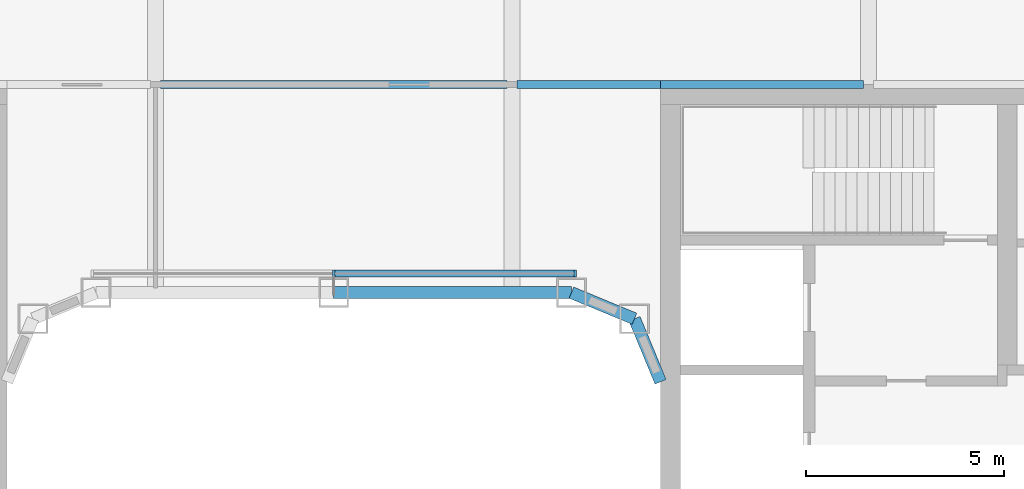
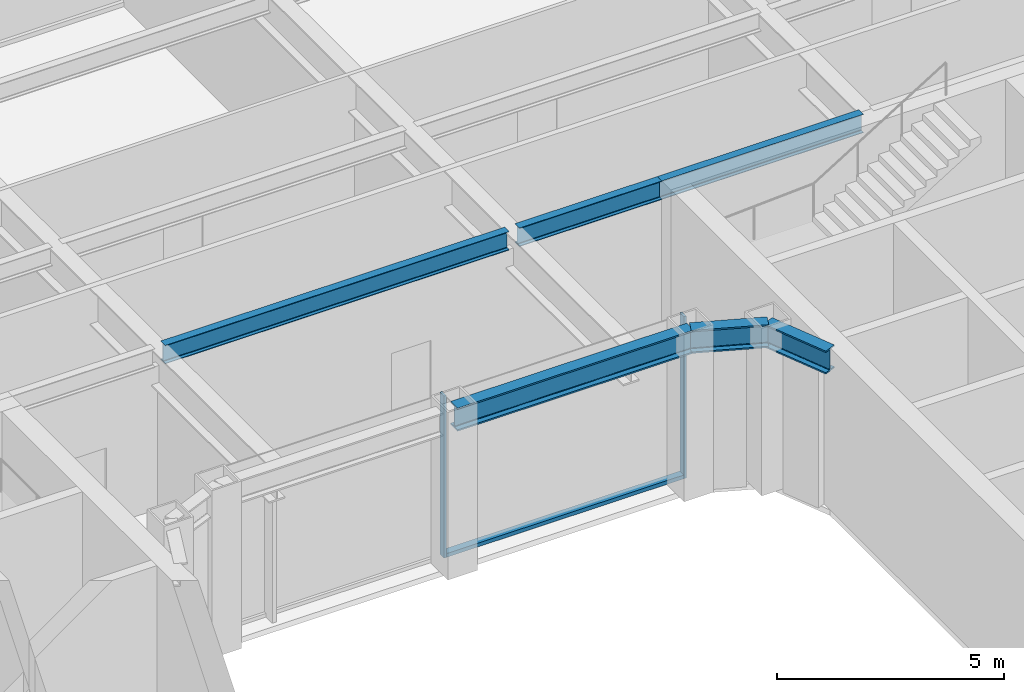
# One storey, part 8 of 24: 6 beams, 3 members, 1 element without a shape of its own.
"""IFC4 building model written with IfcOpenShell, lengths in metres."""

import ifcopenshell
import ifcopenshell.guid

model = None  # the IFC model being written
_history = None  # IfcOwnerHistory: only IFC2X3 demands one
_inside = {}  # id of a spatial element -> (the spatial element, [elements in it])
_under = {}  # id of a project, library or spatial element -> (it, [spatial elements below it])
_declared = {}  # id of a project -> (the project, [libraries it declares])
_typed = {}  # id of a type object -> (the type object, [elements of that type])
_made_of = {}  # id of a material, layer set ... -> (it, [elements and type objects made of it])


def new_model(schema):
    """Start an empty IFC model of exactly this schema.

    Asked for "IFC4X3", IfcOpenShell would pick the latest addendum, in which some entities
    have other attributes; the version numbers below select the first issue.
    IFC2X3 requires an IfcOwnerHistory on every rooted entity: one is made here for all.
    """
    global model, _history
    if schema == "IFC4X3":
        model = ifcopenshell.file(schema_version=(4, 3, 0, 0))
    else:
        model = ifcopenshell.file(schema=schema)
    _inside.clear()
    _under.clear()
    _declared.clear()
    _typed.clear()
    _made_of.clear()
    _history = None
    if model.schema == "IFC2X3":
        org = make("IfcOrganization", Name="unknown")
        user = make(
            "IfcPersonAndOrganization",
            ThePerson=make("IfcPerson", FamilyName="unknown"),
            TheOrganization=org,
        )
        app = make(
            "IfcApplication",
            ApplicationDeveloper=org,
            Version="unknown",
            ApplicationFullName="unknown",
            ApplicationIdentifier="unknown",
        )
        _history = make(
            "IfcOwnerHistory",
            OwningUser=user,
            OwningApplication=app,
            ChangeAction="ADDED",
            CreationDate=0,
        )
    return model


def make(cls, **values):
    """One entity of the class cls with the attributes given. An attribute that is None is left unset."""
    return model.create_entity(
        cls, **{name: value for name, value in values.items() if value is not None}
    )


def rooted(cls, **values):
    """An entity with a GlobalId (a new one), such as an element, a storey or a relation."""
    return make(cls, GlobalId=ifcopenshell.guid.new(), OwnerHistory=_history, **values)


def si_unit(unit_type, name, prefix=None):
    """IfcSIUnit, for example si_unit("LENGTHUNIT", "METRE", prefix="MILLI")."""
    return make("IfcSIUnit", UnitType=unit_type, Prefix=prefix, Name=name)


def assignment(units):
    """IfcUnitAssignment: the units of a project."""
    return None if units is None else make("IfcUnitAssignment", Units=units)


def point(xyz):
    """IfcCartesianPoint."""
    return None if xyz is None else make("IfcCartesianPoint", Coordinates=xyz)


def direction(xyz):
    """IfcDirection."""
    return None if xyz is None else make("IfcDirection", DirectionRatios=xyz)


def frame(location, z_axis=None, x_axis=None):
    """IfcAxis2Placement3D, a coordinate frame: its origin and axes. An axis left out is left unset."""
    return make(
        "IfcAxis2Placement3D",
        Location=point(location),
        Axis=direction(z_axis),
        RefDirection=direction(x_axis),
    )


def frame_2d(location, x_axis=None):
    """IfcAxis2Placement2D, a coordinate frame in the plane: its origin and x axis."""
    return make(
        "IfcAxis2Placement2D", Location=point(location), RefDirection=direction(x_axis)
    )


def origin():
    """The frame at (0, 0, 0) with its axes left unset."""
    return frame((0.0, 0.0, 0.0))


def origin_2d():
    """The frame at (0, 0) in the plane with its x axis left unset."""
    return frame_2d((0.0, 0.0))


def place(relative_to, where):
    """IfcLocalPlacement: puts the frame where relative to a parent placement (None: the world)."""
    return make(
        "IfcLocalPlacement", PlacementRelTo=relative_to, RelativePlacement=where
    )


def context(
    kind, dimensions, precision=None, world=None, true_north=None, identifier=None
):
    """IfcGeometricRepresentationContext, for example the 3D "Model" context."""
    return make(
        "IfcGeometricRepresentationContext",
        ContextIdentifier=identifier,
        ContextType=kind,
        CoordinateSpaceDimension=dimensions,
        Precision=precision,
        WorldCoordinateSystem=world,
        TrueNorth=true_north,
    )


def subcontext(parent, identifier, kind, view, scale=None):
    """IfcGeometricRepresentationSubContext, for example "Body" below "Model"."""
    return make(
        "IfcGeometricRepresentationSubContext",
        ContextIdentifier=identifier,
        ContextType=kind,
        ParentContext=parent,
        TargetScale=scale,
        TargetView=view,
    )


def project(units=None, contexts=None):
    """IfcProject with its units and contexts."""
    return rooted(
        "IfcProject",
        Name="project",
        RepresentationContexts=contexts,
        UnitsInContext=assignment(units),
    )


def spatial(cls, under=None, at=None, **own):
    """A site, building, storey or space (cls), placed at a placement, below another one or the project."""
    s = rooted(cls, ObjectPlacement=at, **own)
    if under is not None:
        _under.setdefault(under.id(), (under, []))[1].append(s)
    return s


def profile(cls, at=None, kind="AREA", **sizes):
    """A parametric profile (cls). Its sizes go by their IFC names, for example OverallWidth=200.0."""
    return make(cls, ProfileType=kind, Position=at, **sizes)


def rectangle(**sizes):
    """IfcRectangleProfileDef."""
    return profile("IfcRectangleProfileDef", **sizes)


def i_section(**sizes):
    """IfcIShapeProfileDef."""
    return profile("IfcIShapeProfileDef", **sizes)


def extrude(swept, where, along, depth):
    """IfcExtrudedAreaSolid: the profile swept, set in the frame where, extruded along a direction by depth."""
    return make(
        "IfcExtrudedAreaSolid",
        SweptArea=swept,
        Position=where,
        ExtrudedDirection=direction(along),
        Depth=depth,
    )


def shape(context_of_items, identifier, shape_type, items):
    """IfcShapeRepresentation: the items that make up one representation, for example the "Body"."""
    return make(
        "IfcShapeRepresentation",
        ContextOfItems=context_of_items,
        RepresentationIdentifier=identifier,
        RepresentationType=shape_type,
        Items=items,
    )


def material(Name=None, Category=None):
    """IfcMaterial."""
    return make("IfcMaterial", Name=Name, Category=Category)


def layer(
    of_material, thickness, ventilated=None, Name=None, Category=None, Priority=None
):
    """IfcMaterialLayer: one layer of a wall or slab, of a material (None: an air gap)."""
    return make(
        "IfcMaterialLayer",
        Material=of_material,
        LayerThickness=thickness,
        IsVentilated=ventilated,
        Name=Name,
        Category=Category,
        Priority=Priority,
    )


def layer_set(layers, Name=None):
    """IfcMaterialLayerSet."""
    return make("IfcMaterialLayerSet", MaterialLayers=layers, LayerSetName=Name)


def material_profile(
    of_material, cross_section, Name=None, Category=None, Priority=None
):
    """IfcMaterialProfile: a cross section and its material."""
    return make(
        "IfcMaterialProfile",
        Name=Name,
        Material=of_material,
        Profile=cross_section,
        Priority=Priority,
        Category=Category,
    )


def profile_set(profiles, Name=None, composite=None):
    """IfcMaterialProfileSet."""
    return make(
        "IfcMaterialProfileSet",
        Name=Name,
        MaterialProfiles=profiles,
        CompositeProfile=composite,
    )


def made_of(thing, what):
    """Note that an element or type object is made of a material, layer set ...; save() writes the relation."""
    if what is not None:
        _made_of.setdefault(what.id(), (what, []))[1].append(thing)
    return thing


def type_object(cls, material=None, **own):
    """A type object (cls), such as IfcWallType, which elements share."""
    return made_of(rooted(cls, **own), material)


def element(
    cls,
    number,
    at=None,
    inside=None,
    cuts=None,
    type_object=None,
    material=None,
    context=None,
    identifier="Body",
    shape_type=None,
    held_by="IfcProductDefinitionShape",
    body=None,
    shapes=None,
    **own,
):
    """One element of the class cls, such as IfcWall. Its Tag is "e" and its number.

    at: its placement. inside: the storey or other place that contains it. cuts: it is an
    opening in that element (IfcRelVoidsElement). A single representation is given by context,
    identifier, shape_type and body (its items); several are given by shapes. held_by: the class
    of the entity that holds the representations. save() writes the other relations.
    """
    e = rooted(cls, Tag="e%d" % number, ObjectPlacement=at, **own)
    if body is not None:
        shapes = [shape(context, identifier, shape_type, body)]
    if shapes is not None:
        e.Representation = make(held_by, Representations=shapes)
    if inside is not None:
        _inside.setdefault(inside.id(), (inside, []))[1].append(e)
    if cuts is not None:
        rooted(
            "IfcRelVoidsElement", RelatingBuildingElement=cuts, RelatedOpeningElement=e
        )
    if type_object is not None:
        _typed.setdefault(type_object.id(), (type_object, []))[1].append(e)
    return made_of(e, material)


def aggregate(whole, parts):
    """IfcRelAggregates: a whole, such as a stair, and the parts it consists of."""
    return rooted("IfcRelAggregates", RelatingObject=whole, RelatedObjects=parts)


def save(model, path):
    """Write the relations noted so far, then the file.

    IfcRelAggregates (storeys below a building ...), IfcRelContainedInSpatialStructure (elements
    in a storey), IfcRelDefinesByType, IfcRelAssociatesMaterial and IfcRelDeclares: one each for
    every whole, place, type object, material and project.
    """
    for whole, parts in _under.values():
        aggregate(whole, parts)
    for where, things in _inside.values():
        rooted(
            "IfcRelContainedInSpatialStructure",
            RelatedElements=things,
            RelatingStructure=where,
        )
    for kind, things in _typed.values():
        rooted("IfcRelDefinesByType", RelatedObjects=things, RelatingType=kind)
    for what, things in _made_of.values():
        rooted("IfcRelAssociatesMaterial", RelatedObjects=things, RelatingMaterial=what)
    for by, libraries in _declared.values():
        rooted("IfcRelDeclares", RelatingContext=by, RelatedDefinitions=libraries)
    model.write(path)


model = new_model("IFC4")

# Units and contexts
model_context = context("Model", 3, precision=1e-05, world=origin(), true_north=direction((0.0, 1.0)))
body_context = subcontext(model_context, "Body", "Model", "MODEL_VIEW")
ifc_project = project(units=[si_unit("LENGTHUNIT", "METRE"), si_unit("AREAUNIT", "SQUARE_METRE"), si_unit("VOLUMEUNIT", "CUBIC_METRE"), si_unit("PLANEANGLEUNIT", "RADIAN"), si_unit("MASSUNIT", "GRAM", prefix="KILO")], contexts=[model_context])

# Site, building, storey
site_placement = place(None, origin())
site = spatial("IfcSite", under=ifc_project, at=site_placement, CompositionType="ELEMENT")
building_placement = place(site_placement, origin())
building = spatial("IfcBuilding", under=site, at=building_placement, Name="Siwar Civic Tower", CompositionType="ELEMENT")
storey_placement = place(building_placement, frame((0.0, 0.0, 76.199951171875)))
storey = spatial("IfcBuildingStorey", under=building, at=storey_placement, Name="L16", CompositionType="ELEMENT", Elevation=76.199951171875)

# Curtain wall, members
ifc_material_1 = material(Name="Aluminium and glass", Category="aluminium")
ifc_layer = layer(ifc_material_1, 0.179931640625)
ifc_layer_set = layer_set([ifc_layer], Name="Aluminium and glass")
curtain_wall_type = type_object("IfcCurtainWallType", Name="ENV-CW-W", PredefinedType="NOTDEFINED", material=ifc_layer_set)
curtain_wall_placement = place(storey_placement, origin())
curtain_wall = element("IfcCurtainWall", 1, at=curtain_wall_placement, inside=storey, type_object=curtain_wall_type, Name="Curtain wall W WN", PredefinedType="NOTDEFINED")
ifc_material_2 = material(Name="Aluminium 6063-T6", Category="aluminium")
ifc_material_profile_1 = material_profile(ifc_material_2, rectangle(XDim=0.179931640625, YDim=0.06005859375, at=origin_2d()), Name="AL 180x60")
ifc_profile_set_1 = profile_set([ifc_material_profile_1], Name="Aluminium 6063-T6")
member_type_1 = type_object("IfcMemberType", Name="ENV-MULLION-W", PredefinedType="MULLION", material=ifc_profile_set_1)
member_1_placement = place(storey_placement, frame((6.096435546875, 8.735107421875, 0.0), z_axis=(0.0, 0.0, 1.0), x_axis=(0.0, -1.0, 0.0)))
member_1 = element("IfcMember", 2, at=member_1_placement, type_object=member_type_1, Name="Mullion W WN 1", PredefinedType="MULLION", context=body_context, shape_type="SweptSolid", body=[
    extrude(rectangle(XDim=0.179931640625, YDim=0.06005859375, at=origin_2d()), origin(), (0.0, 0.0, 1.0), 4.35009765625),
])
member_2_placement = place(storey_placement, frame((0.0, 8.735107421875, 0.0), z_axis=(0.0, 0.0, 1.0), x_axis=(0.0, -1.0, 0.0)))
member_2 = element("IfcMember", 3, at=member_2_placement, type_object=member_type_1, Name="Mullion W WN 2", PredefinedType="MULLION", context=body_context, shape_type="SweptSolid", body=[
    extrude(rectangle(XDim=0.179931640625, YDim=0.06005859375, at=origin_2d()), origin(), (0.0, 0.0, 1.0), 4.35009765625),
])
ifc_material_3 = material(Name="Aluminium 6063-T6", Category="aluminium")
ifc_material_profile_2 = material_profile(ifc_material_3, rectangle(XDim=0.179931640625, YDim=0.10009765625, at=origin_2d()), Name="AL 180x100")
ifc_profile_set_2 = profile_set([ifc_material_profile_2], Name="Aluminium 6063-T6")
member_type_2 = type_object("IfcMemberType", Name="ENV-TRANSOM-W", PredefinedType="USERDEFINED", material=ifc_profile_set_2)
member_3_placement = place(storey_placement, frame((6.06640625, 8.735107421875, 0.050048828125), z_axis=(-1.0, 0.0, 0.0), x_axis=(0.0, -1.0, 0.0)))
member_3 = element("IfcMember", 4, at=member_3_placement, type_object=member_type_2, Name="Transom W WN 1", ObjectType="TRANSOM", PredefinedType="USERDEFINED", context=body_context, shape_type="SweptSolid", body=[
    extrude(rectangle(XDim=0.179931640625, YDim=0.10009765625, at=origin_2d()), origin(), (0.0, 0.0, 1.0), 6.036376953125),
])
aggregate(curtain_wall, [member_1, member_2, member_3])

# Beams
ifc_material_4 = material(Name="Steel S355", Category="steel")
ifc_material_profile_3 = material_profile(ifc_material_4, i_section(OverallWidth=0.199951171875, OverallDepth=0.5, WebThickness=0.01025390625, FlangeThickness=0.01611328125, FilletRadius=0.02099609375, at=origin_2d()), Name="IPE500")
ifc_profile_set_3 = profile_set([ifc_material_profile_3], Name="Steel S355")
beam_type_1 = type_object("IfcBeamType", Name="STR-FB-IPE500", PredefinedType="JOIST", material=ifc_profile_set_3)
beam_1_placement = place(storey_placement, frame((-4.3701171875, 13.5, 4.10009765625), z_axis=(1.0, 0.0, 0.0), x_axis=(0.0, 1.0, 0.0)))
element("IfcBeam", 5, at=beam_1_placement, inside=storey, type_object=beam_type_1, Name="L16/bm/F041", PredefinedType="JOIST", context=body_context, shape_type="SweptSolid", body=[
    extrude(i_section(OverallWidth=0.199951171875, OverallDepth=0.5, WebThickness=0.01025390625, FlangeThickness=0.01611328125, FilletRadius=0.02099609375, at=origin_2d()), origin(), (0.0, 0.0, 1.0), 8.740234375),
])
beam_2_placement = place(storey_placement, frame((4.6298828125, 13.5, 4.10009765625), z_axis=(1.0, 0.0, 0.0), x_axis=(0.0, 1.0, 0.0)))
element("IfcBeam", 6, at=beam_2_placement, inside=storey, type_object=beam_type_1, Name="L16/bm/F042", PredefinedType="JOIST", context=body_context, shape_type="SweptSolid", body=[
    extrude(i_section(OverallWidth=0.199951171875, OverallDepth=0.5, WebThickness=0.01025390625, FlangeThickness=0.01611328125, FilletRadius=0.02099609375, at=origin_2d()), origin(), (0.0, 0.0, 1.0), 3.6201171875),
])
beam_3_placement = place(storey_placement, frame((8.25, 13.5, 4.10009765625), z_axis=(1.0, 0.0, 0.0), x_axis=(0.0, 1.0, 0.0)))
element("IfcBeam", 7, at=beam_3_placement, inside=storey, type_object=beam_type_1, Name="L16/bm/F043", PredefinedType="JOIST", context=body_context, shape_type="SweptSolid", body=[
    extrude(i_section(OverallWidth=0.199951171875, OverallDepth=0.5, WebThickness=0.01025390625, FlangeThickness=0.01611328125, FilletRadius=0.02099609375, at=origin_2d()), origin(), (0.0, 0.0, 1.0), 5.1201171875),
])
ifc_material_5 = material(Name="Steel S355", Category="steel")
ifc_material_profile_4 = material_profile(ifc_material_5, i_section(OverallWidth=0.304931640625, OverallDepth=0.6201171875, WebThickness=0.02099609375, FlangeThickness=0.0400390625, FilletRadius=0.027099609375, at=origin_2d()), Name="HEM600")
ifc_profile_set_4 = profile_set([ifc_material_profile_4], Name="Steel S355")
beam_type_2 = type_object("IfcBeamType", Name="STR-RB-HEM600", PredefinedType="BEAM", material=ifc_profile_set_4)
beam_4_placement = place(storey_placement, frame((0.0, 8.25, 4.0400390625), z_axis=(1.0, 0.0, 0.0), x_axis=(0.0, 1.0, 0.0)))
element("IfcBeam", 8, at=beam_4_placement, inside=storey, type_object=beam_type_2, Name="L16/bm/RN2", PredefinedType="BEAM", context=body_context, shape_type="SweptSolid", body=[
    extrude(i_section(OverallWidth=0.304931640625, OverallDepth=0.6201171875, WebThickness=0.02099609375, FlangeThickness=0.0400390625, FilletRadius=0.027099609375, at=origin_2d()), origin(), (0.0, 0.0, 1.0), 6.0),
])
for number, where, z_axis, x_axis, name in (
    (9, (6.0, 8.25, 4.0400390625), (0.923901072997, -0.382631424892, 0.0), (0.382631424892, 0.923901072997, 0.0), "L16/bm/RN3"),
    (10, (7.591064453125, 7.591064453125, 4.0400390625), (0.382631424892, -0.923901072997, 0.0), (0.923901072997, 0.382631424892, 0.0), "L16/bm/RNEE"),
):
    element("IfcBeam", number, at=place(storey_placement, frame(where, z_axis=z_axis, x_axis=x_axis)), inside=storey, type_object=beam_type_2, Name=name, PredefinedType="BEAM", context=body_context, shape_type="SweptSolid", body=[
        extrude(i_section(OverallWidth=0.304931640625, OverallDepth=0.6201171875, WebThickness=0.02099609375, FlangeThickness=0.0400390625, FilletRadius=0.027099609375, at=origin_2d()), origin(), (0.0, 0.0, 1.0), 1.72216796875),
    ])

save(model, "model.ifc")
